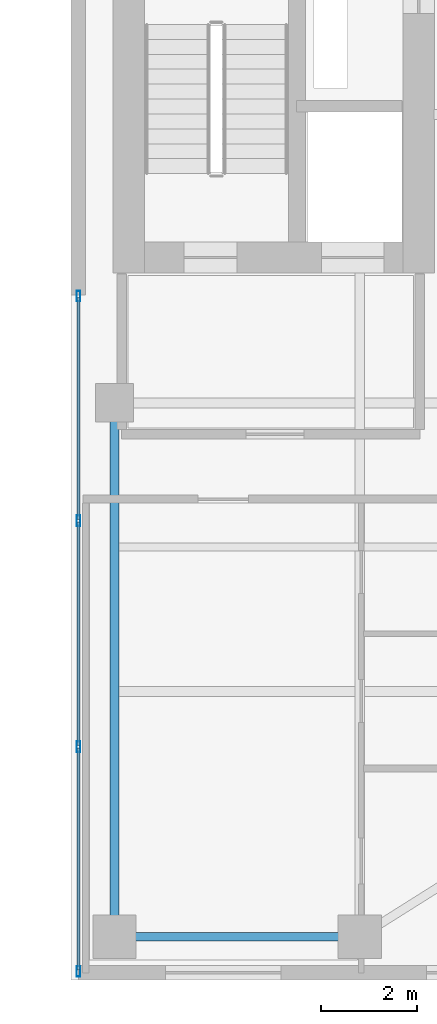
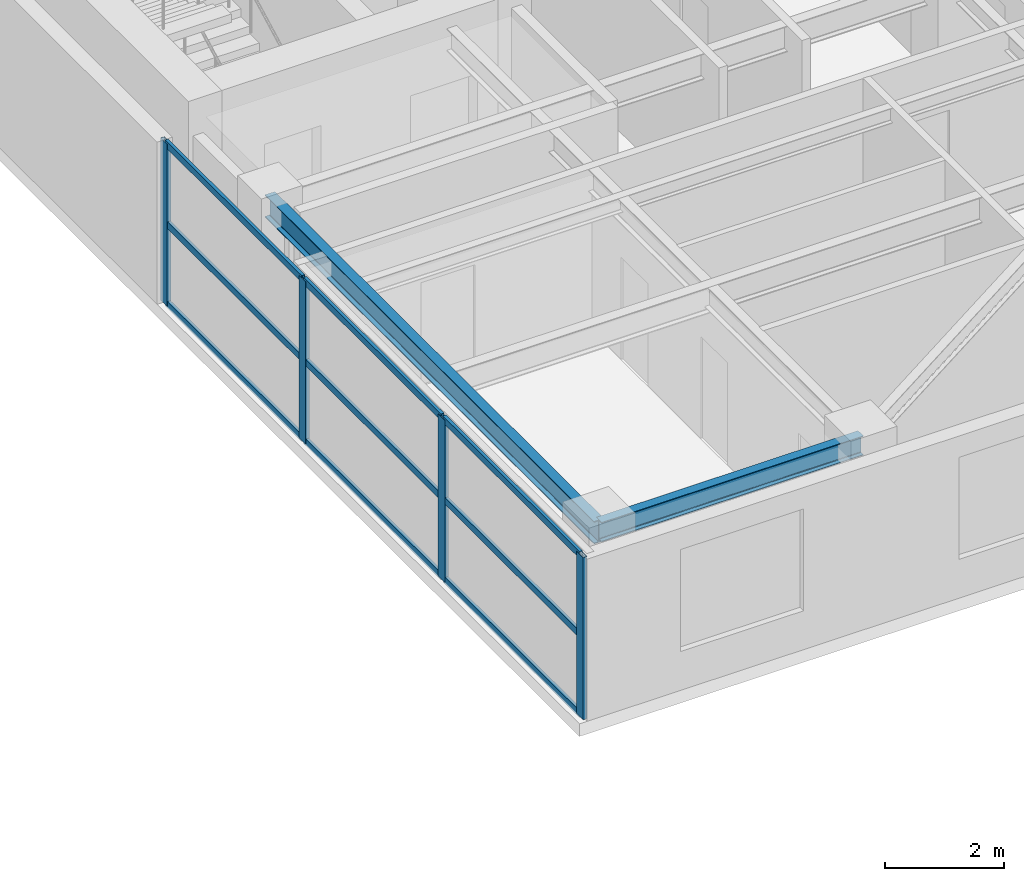
# One storey, part 4 of 22: 13 members, 2 beams, 1 element without a shape of its own.
"""IFC4 building model written with IfcOpenShell, lengths in metres."""

from ifc_helpers import new_model, si_unit, direction, frame, origin, origin_2d, place, context, subcontext, project, spatial, hollow_rectangle, i_section, extrude, source, transform, mapped, material, layer, layer_set, material_profile, profile_set, type_object, element, aggregate, save


model = new_model("IFC4")

# Units and contexts
model_context = context("Model", 3, precision=1e-05, world=origin(), true_north=direction((0.0, 1.0)))
body_context = subcontext(model_context, "Body", "Model", "MODEL_VIEW")
ifc_project = project(units=[si_unit("LENGTHUNIT", "METRE"), si_unit("AREAUNIT", "SQUARE_METRE"), si_unit("VOLUMEUNIT", "CUBIC_METRE"), si_unit("PLANEANGLEUNIT", "RADIAN"), si_unit("MASSUNIT", "GRAM", prefix="KILO")], contexts=[model_context])

# Site, building, storey
site_placement = place(None, origin())
site = spatial("IfcSite", under=ifc_project, at=site_placement, CompositionType="ELEMENT")
building_placement = place(site_placement, origin())
building = spatial("IfcBuilding", under=site, at=building_placement, Name="Khoralis Quay Care Tower", CompositionType="ELEMENT")
storey_placement = place(building_placement, frame((0.0, 0.0, 184.5)))
storey = spatial("IfcBuildingStorey", under=building, at=storey_placement, Name="L48", CompositionType="ELEMENT", Elevation=184.5)

# Beams
ifc_material_1 = material(Name="Steel S355", Category="steel")
ifc_material_profile_1 = material_profile(ifc_material_1, i_section(OverallWidth=0.179931640625, OverallDepth=0.39990234375, WebThickness=0.008544921875, FlangeThickness=0.013427734375, FilletRadius=0.02099609375, at=origin_2d()), Name="Steel S355")
ifc_profile_set_1 = profile_set([ifc_material_profile_1], Name="Steel S355")
beam_type_1 = type_object("IfcBeamType", Name="BM-IPE400", PredefinedType="SPANDREL", material=ifc_profile_set_1)
shared_shape_1 = source(origin(), body_context, "Body", "SweptSolid", [
    extrude(i_section(OverallWidth=0.179931640625, OverallDepth=0.39990234375, WebThickness=0.008544921875, FlangeThickness=0.013427734375, FilletRadius=0.02099609375, at=origin_2d()), origin(), (0.0, 0.0, 1.0), 5.10009765625),
])
beam_1_placement = place(storey_placement, frame((30.89990234375, 0.89990234375, 3.139892578125), z_axis=(1.0, 0.0, 0.0), x_axis=(0.0, 1.0, 0.0)))
element("IfcBeam", 1, at=beam_1_placement, inside=storey, type_object=beam_type_1, Name="BM-TSP-L48-02", PredefinedType="SPANDREL", context=body_context, shape_type="MappedRepresentation", body=[
    mapped(shared_shape_1, transform((0.0, 0.0, 0.0), scale=1.0)),
])
ifc_material_profile_2 = material_profile(ifc_material_1, i_section(OverallWidth=0.19189453125, OverallDepth=0.462890625, WebThickness=0.010498046875, FlangeThickness=0.017578125, FilletRadius=0.014892578125, at=origin_2d()), Name="Steel S355")
ifc_profile_set_2 = profile_set([ifc_material_profile_2], Name="Steel S355")
beam_type_2 = type_object("IfcBeamType", Name="BM-W460X89", PredefinedType="BEAM", material=ifc_profile_set_2)
shared_shape_2 = source(origin(), body_context, "Body", "SweptSolid", [
    extrude(i_section(OverallWidth=0.19189453125, OverallDepth=0.462890625, WebThickness=0.010498046875, FlangeThickness=0.017578125, FilletRadius=0.014892578125, at=origin_2d()), origin(), (0.0, 0.0, 1.0), 11.10009765625),
])
beam_2_placement = place(storey_placement, frame((30.89990234375, 0.89990234375, 3.1083984375), z_axis=(0.0, 1.0, 0.0), x_axis=(-1.0, 0.0, 0.0)))
element("IfcBeam", 2, at=beam_2_placement, inside=storey, type_object=beam_type_2, Name="BM-TGYS-L48-309", PredefinedType="BEAM", context=body_context, shape_type="MappedRepresentation", body=[
    mapped(shared_shape_2, transform((0.0, 0.0, 0.0), scale=1.0)),
])

# Curtain wall, members
ifc_material_2 = material(Name="Pale anodised aluminium", Category="aluminium")
ifc_layer = layer(ifc_material_2, 0.18994140625)
ifc_layer_set = layer_set([ifc_layer], Name="Pale anodised aluminium")
curtain_wall_type = type_object("IfcCurtainWallType", Name="CW-SYS-PORTAL", PredefinedType="NOTDEFINED", material=ifc_layer_set)
curtain_wall_placement = place(storey_placement, origin())
curtain_wall = element("IfcCurtainWall", 3, at=curtain_wall_placement, inside=storey, type_object=curtain_wall_type, Name="L48 Unitised Curtain Wall CW-VP-L48-P2-S", PredefinedType="NOTDEFINED")
ifc_material_profile_3 = material_profile(ifc_material_2, hollow_rectangle(XDim=0.074951171875, YDim=0.219970703125, WallThickness=0.00390625, at=origin_2d()), Name="Pale anodised aluminium")
ifc_profile_set_3 = profile_set([ifc_material_profile_3], Name="Pale anodised aluminium")
member_type_1 = type_object("IfcMemberType", Name="CW-MUL-220", PredefinedType="MULLION", material=ifc_profile_set_3)
shared_shape_3 = source(origin(), body_context, "Body", "SweptSolid", [
    extrude(hollow_rectangle(XDim=0.074951171875, YDim=0.219970703125, WallThickness=0.00390625, at=origin_2d()), origin(), (0.0, 0.0, 1.0), 3.340087890625),
])
member_1_placement = place(storey_placement, frame((30.14990234375, 0.179931640625, 0.0), z_axis=(0.0, 0.0, 1.0), x_axis=(-1.0, 0.0, 0.0)))
member_1 = element("IfcMember", 4, at=member_1_placement, type_object=member_type_1, Name="CW4 mullion 1", PredefinedType="MULLION", context=body_context, shape_type="MappedRepresentation", body=[
    mapped(shared_shape_3, transform((0.0, 0.0, 0.0), scale=1.0)),
])
member_2_placement = place(storey_placement, frame((30.14990234375, 4.85009765625, 0.0), z_axis=(0.0, 0.0, 1.0), x_axis=(-1.0, 0.0, 0.0)))
member_2 = element("IfcMember", 5, at=member_2_placement, type_object=member_type_1, Name="CW4 mullion 2", PredefinedType="MULLION", context=body_context, shape_type="MappedRepresentation", body=[
    mapped(shared_shape_3, transform((0.0, 0.0, 0.0), scale=1.0)),
])
member_3_placement = place(storey_placement, frame((30.14990234375, 9.550048828125, 0.0), z_axis=(0.0, 0.0, 1.0), x_axis=(-1.0, 0.0, 0.0)))
member_3 = element("IfcMember", 6, at=member_3_placement, type_object=member_type_1, Name="CW4 mullion 3", PredefinedType="MULLION", context=body_context, shape_type="MappedRepresentation", body=[
    mapped(shared_shape_3, transform((0.0, 0.0, 0.0), scale=1.0)),
])
member_4_placement = place(storey_placement, frame((30.14990234375, 14.219970703125, 0.0), z_axis=(0.0, 0.0, 1.0), x_axis=(-1.0, 0.0, 0.0)))
member_4 = element("IfcMember", 7, at=member_4_placement, type_object=member_type_1, Name="CW4 mullion 4", PredefinedType="MULLION", context=body_context, shape_type="MappedRepresentation", body=[
    mapped(shared_shape_3, transform((0.0, 0.0, 0.0), scale=1.0)),
])
ifc_material_profile_4 = material_profile(ifc_material_2, hollow_rectangle(XDim=0.06005859375, YDim=0.139892578125, WallThickness=0.00390625, at=origin_2d()), Name="Pale anodised aluminium")
ifc_profile_set_4 = profile_set([ifc_material_profile_4], Name="Pale anodised aluminium")
member_type_2 = type_object("IfcMemberType", Name="CW-TRN-140", PredefinedType="USERDEFINED", material=ifc_profile_set_4)
shared_shape_4 = source(origin(), body_context, "Body", "SweptSolid", [
    extrude(hollow_rectangle(XDim=0.06005859375, YDim=0.139892578125, WallThickness=0.00390625, at=origin_2d()), origin(), (0.0, 0.0, 1.0), 4.610107421875),
])
member_5_placement = place(storey_placement, frame((30.14990234375, 0.2099609375, 0.030029296875), z_axis=(0.0, 1.0, 0.0), x_axis=(-1.0, 0.0, 0.0)))
member_5 = element("IfcMember", 8, at=member_5_placement, type_object=member_type_2, Name="CW4 transom 1.1", ObjectType="TRANSOM", PredefinedType="USERDEFINED", context=body_context, shape_type="MappedRepresentation", body=[
    mapped(shared_shape_4, transform((0.0, 0.0, 0.0), scale=1.0)),
])
member_6_placement = place(storey_placement, frame((30.14990234375, 0.2099609375, 1.669921875), z_axis=(0.0, 1.0, 0.0), x_axis=(-1.0, 0.0, 0.0)))
member_6 = element("IfcMember", 9, at=member_6_placement, type_object=member_type_2, Name="CW4 transom 1.2", ObjectType="TRANSOM", PredefinedType="USERDEFINED", context=body_context, shape_type="MappedRepresentation", body=[
    mapped(shared_shape_4, transform((0.0, 0.0, 0.0), scale=1.0)),
])
member_7_placement = place(storey_placement, frame((30.14990234375, 0.2099609375, 3.31005859375), z_axis=(0.0, 1.0, 0.0), x_axis=(-1.0, 0.0, 0.0)))
member_7 = element("IfcMember", 10, at=member_7_placement, type_object=member_type_2, Name="CW4 transom 1.3", ObjectType="TRANSOM", PredefinedType="USERDEFINED", context=body_context, shape_type="MappedRepresentation", body=[
    mapped(shared_shape_4, transform((0.0, 0.0, 0.0), scale=1.0)),
])
shared_shape_5 = source(origin(), body_context, "Body", "SweptSolid", [
    extrude(hollow_rectangle(XDim=0.06005859375, YDim=0.139892578125, WallThickness=0.00390625, at=origin_2d()), origin(), (0.0, 0.0, 1.0), 4.64013671875),
])
member_8_placement = place(storey_placement, frame((30.14990234375, 4.8798828125, 0.030029296875), z_axis=(0.0, 1.0, 0.0), x_axis=(-1.0, 0.0, 0.0)))
member_8 = element("IfcMember", 11, at=member_8_placement, type_object=member_type_2, Name="CW4 transom 2.1", ObjectType="TRANSOM", PredefinedType="USERDEFINED", context=body_context, shape_type="MappedRepresentation", body=[
    mapped(shared_shape_5, transform((0.0, 0.0, 0.0), scale=1.0)),
])
member_9_placement = place(storey_placement, frame((30.14990234375, 4.8798828125, 1.669921875), z_axis=(0.0, 1.0, 0.0), x_axis=(-1.0, 0.0, 0.0)))
member_9 = element("IfcMember", 12, at=member_9_placement, type_object=member_type_2, Name="CW4 transom 2.2", ObjectType="TRANSOM", PredefinedType="USERDEFINED", context=body_context, shape_type="MappedRepresentation", body=[
    mapped(shared_shape_5, transform((0.0, 0.0, 0.0), scale=1.0)),
])
member_10_placement = place(storey_placement, frame((30.14990234375, 4.8798828125, 3.31005859375), z_axis=(0.0, 1.0, 0.0), x_axis=(-1.0, 0.0, 0.0)))
member_10 = element("IfcMember", 13, at=member_10_placement, type_object=member_type_2, Name="CW4 transom 2.3", ObjectType="TRANSOM", PredefinedType="USERDEFINED", context=body_context, shape_type="MappedRepresentation", body=[
    mapped(shared_shape_5, transform((0.0, 0.0, 0.0), scale=1.0)),
])
shared_shape_6 = source(origin(), body_context, "Body", "SweptSolid", [
    extrude(hollow_rectangle(XDim=0.06005859375, YDim=0.139892578125, WallThickness=0.00390625, at=origin_2d()), origin(), (0.0, 0.0, 1.0), 4.60986328125),
])
member_11_placement = place(storey_placement, frame((30.14990234375, 9.580078125, 0.030029296875), z_axis=(0.0, 1.0, 0.0), x_axis=(-1.0, 0.0, 0.0)))
member_11 = element("IfcMember", 14, at=member_11_placement, type_object=member_type_2, Name="CW4 transom 3.1", ObjectType="TRANSOM", PredefinedType="USERDEFINED", context=body_context, shape_type="MappedRepresentation", body=[
    mapped(shared_shape_6, transform((0.0, 0.0, 0.0), scale=1.0)),
])
member_12_placement = place(storey_placement, frame((30.14990234375, 9.580078125, 1.669921875), z_axis=(0.0, 1.0, 0.0), x_axis=(-1.0, 0.0, 0.0)))
member_12 = element("IfcMember", 15, at=member_12_placement, type_object=member_type_2, Name="CW4 transom 3.2", ObjectType="TRANSOM", PredefinedType="USERDEFINED", context=body_context, shape_type="MappedRepresentation", body=[
    mapped(shared_shape_6, transform((0.0, 0.0, 0.0), scale=1.0)),
])
member_13_placement = place(storey_placement, frame((30.14990234375, 9.580078125, 3.31005859375), z_axis=(0.0, 1.0, 0.0), x_axis=(-1.0, 0.0, 0.0)))
member_13 = element("IfcMember", 16, at=member_13_placement, type_object=member_type_2, Name="CW4 transom 3.3", ObjectType="TRANSOM", PredefinedType="USERDEFINED", context=body_context, shape_type="MappedRepresentation", body=[
    mapped(shared_shape_6, transform((0.0, 0.0, 0.0), scale=1.0)),
])
aggregate(curtain_wall, [member_1, member_2, member_3, member_4, member_5, member_6, member_7, member_8, member_9, member_10, member_11, member_12, member_13])

save(model, "model.ifc")
